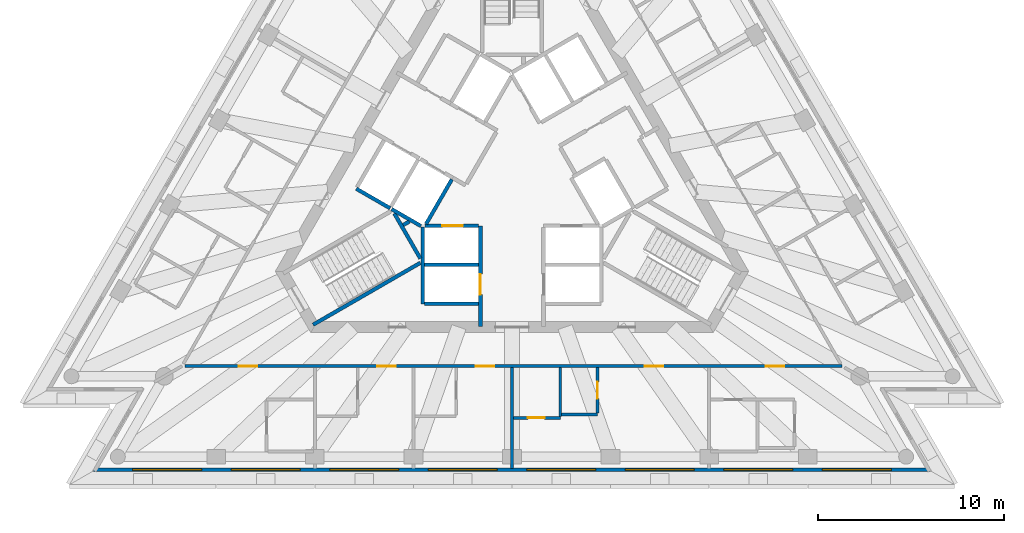
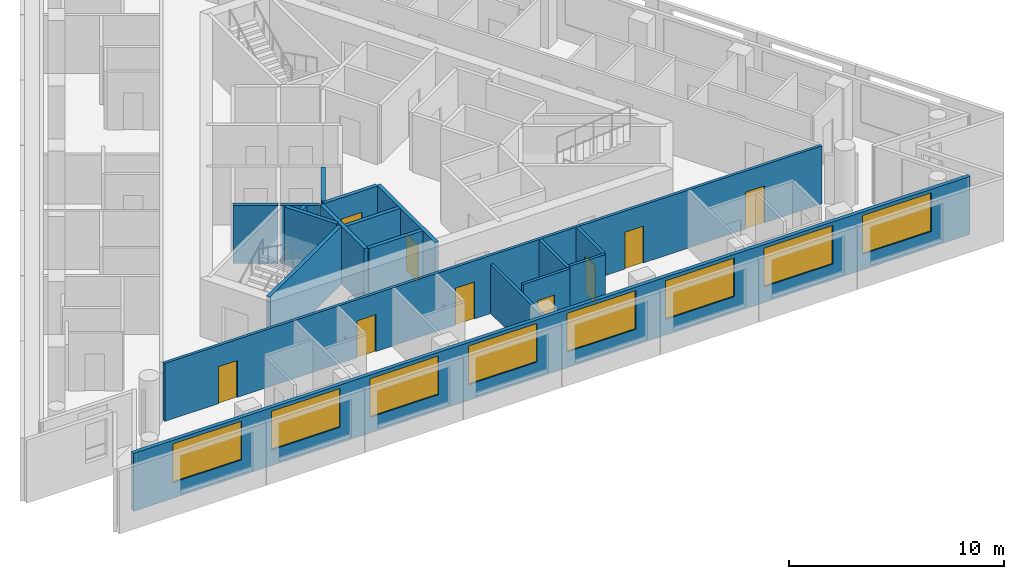
# One storey, part 3 of 11: 18 walls, 9 doors, 8 windows, 17 openings.
"""IFC4 building model written with IfcOpenShell, lengths in metres."""

from ifc_helpers import new_model, si_unit, direction, frame, frame_2d, origin, place, context, subcontext, project, spatial, rectangle, extrude, material, layer, layer_set, layer_usage, type_object, element, fill, save


model = new_model("IFC4")

# Units and contexts
model_context = context("Model", 3, precision=1e-05, world=origin(), true_north=direction((0.0, 1.0)))
body_context = subcontext(model_context, "Body", "Model", "MODEL_VIEW")
ifc_project = project(units=[si_unit("LENGTHUNIT", "METRE"), si_unit("AREAUNIT", "SQUARE_METRE"), si_unit("VOLUMEUNIT", "CUBIC_METRE"), si_unit("PLANEANGLEUNIT", "RADIAN"), si_unit("MASSUNIT", "GRAM", prefix="KILO")], contexts=[model_context])

# Site, building, storey
site_placement = place(None, origin())
site = spatial("IfcSite", under=ifc_project, at=site_placement, CompositionType="ELEMENT")
building_placement = place(site_placement, origin())
building = spatial("IfcBuilding", under=site, at=building_placement, Name="Triada Interchange Tower", CompositionType="ELEMENT")
storey_placement = place(building_placement, frame((0.0, 0.0, 300.699951171875)))
storey = spatial("IfcBuildingStorey", under=building, at=storey_placement, Name="L71", CompositionType="ELEMENT", Elevation=300.699951171875)

# Walls
ifc_material_1 = material(Name="Concrete C30/37", Category="concrete")
ifc_layer_1 = layer(ifc_material_1, 0.199951171875)
ifc_layer_set_1 = layer_set([ifc_layer_1], Name="CORE WALL 200 EI 120")
wall_type_1 = type_object("IfcWallType", Name="CORE WALL 200 EI 120", PredefinedType="SOLIDWALL", material=ifc_layer_set_1)
wall_1_placement = place(storey_placement, frame((-8.3759765625, -0.70703125, 0.0), z_axis=(0.0, 0.0, 1.0), x_axis=(0.866067520717, -0.499927044236, 0.0)))
element("IfcWall", 1, at=wall_1_placement, inside=storey, type_object=wall_type_1, Name="Wall L71 69", PredefinedType="SOLIDWALL", context=body_context, shape_type="SweptSolid", body=[
    extrude(rectangle(XDim=2.100341796875, YDim=0.199951171875, at=frame_2d((1.05029296875, 0.0))), origin(), (0.0, 0.0, 1.0), 3.300048828125),
])
wall_2_placement = place(storey_placement, frame((-4.699951171875, -4.800048828125, 0.0), z_axis=(0.0, 0.0, 1.0), x_axis=(1.0, 0.0, 0.0)))
element("IfcWall", 2, at=wall_2_placement, inside=storey, type_object=wall_type_1, Name="Wall L71 71", PredefinedType="SOLIDWALL", context=body_context, shape_type="SweptSolid", body=[
    extrude(rectangle(XDim=2.89990234375, YDim=0.199951171875, at=frame_2d((1.449951171875, 0.0))), origin(), (0.0, 0.0, 1.0), 3.300048828125),
])
wall_3_placement = place(storey_placement, frame((-4.800048828125, -6.89990234375, 0.0), z_axis=(0.0, 0.0, 1.0), x_axis=(0.0, 1.0, 0.0)))
element("IfcWall", 3, at=wall_3_placement, inside=storey, type_object=wall_type_1, Name="Wall L71 73", PredefinedType="SOLIDWALL", context=body_context, shape_type="SweptSolid", body=[
    extrude(rectangle(XDim=4.130859375, YDim=0.199951171875, at=frame_2d((2.0654296875, 0.0))), origin(), (0.0, 0.0, 1.0), 3.300048828125),
])
wall_4_placement = place(storey_placement, frame((-4.699951171875, -6.89990234375, 0.0), z_axis=(0.0, 0.0, 1.0), x_axis=(1.0, 0.0, 0.0)))
element("IfcWall", 4, at=wall_4_placement, inside=storey, type_object=wall_type_1, Name="Wall L71 74", PredefinedType="SOLIDWALL", context=body_context, shape_type="SweptSolid", body=[
    extrude(rectangle(XDim=2.89990234375, YDim=0.199951171875, at=frame_2d((1.449951171875, 0.0))), origin(), (0.0, 0.0, 1.0), 3.300048828125),
])

# Wall, opening, door
wall_5_placement = place(storey_placement, frame((-1.699951171875, -8.1298828125, 0.0), z_axis=(0.0, 0.0, 1.0), x_axis=(0.0, 1.0, 0.0)))
wall_5 = element("IfcWall", 5, at=wall_5_placement, inside=storey, type_object=wall_type_1, Name="Wall L71 76", PredefinedType="SOLIDWALL", context=body_context, shape_type="SweptSolid", body=[
    extrude(rectangle(XDim=5.427001953125, YDim=0.199951171875, at=frame_2d((2.71337890625, 0.0))), origin(), (0.0, 0.0, 1.0), 3.300048828125),
])
opening_1_placement = place(wall_5_placement, frame((1.72998046875, 0.0, 0.0)))
opening_1 = element("IfcOpeningElement", 6, at=opening_1_placement, cuts=wall_5, Name="Opening LD-HR4", PredefinedType="OPENING", context=body_context, shape_type="SweptSolid", body=[
    extrude(rectangle(XDim=1.10009765625, YDim=2.10009765625, at=frame_2d((0.550048828125, 1.050048828125))), frame((0.0, 0.10986328125, 0.0), z_axis=(0.0, -1.0, 0.0), x_axis=(1.0, 0.0, 0.0)), (0.0, 0.0, 1.0), 0.219970703125),
])
ifc_material_2 = material(Name="Steel S235 door leaf", Category="steel")
door_type_1 = type_object("IfcDoorType", Name="LIFT LANDING DOOR 1100 EI 120", OperationType="SLIDING_TO_LEFT", PredefinedType="DOOR", material=ifc_material_2)
door_1_placement = place(opening_1_placement, origin())
door_1 = element("IfcDoor", 7, at=door_1_placement, inside=storey, type_object=door_type_1, Name="HR4 landing door L71", OperationType="SLIDING_TO_LEFT", OverallHeight=2.10009765625, OverallWidth=1.10009765625, PredefinedType="DOOR", context=body_context, shape_type="SweptSolid", body=[
    extrude(rectangle(XDim=1.10009765625, YDim=2.10009765625, at=frame_2d((0.550048828125, 1.050048828125))), frame((0.0, 0.02490234375, 0.0), z_axis=(0.0, -1.0, 0.0), x_axis=(1.0, 0.0, 0.0)), (0.0, 0.0, 1.0), 0.050048828125),
])
fill(opening_1, door_1)

wall_6_placement = place(storey_placement, frame((-4.676025390625, -2.699951171875, 0.0), z_axis=(0.0, 0.0, 1.0), x_axis=(1.0, 0.0, 0.0)))
wall_6 = element("IfcWall", 8, at=wall_6_placement, inside=storey, type_object=wall_type_1, Name="Wall L71 77", PredefinedType="SOLIDWALL", context=body_context, shape_type="SweptSolid", body=[
    extrude(rectangle(XDim=2.873046875, YDim=0.199951171875, at=frame_2d((1.4365234375, 0.0))), origin(), (0.0, 0.0, 1.0), 3.300048828125),
])
opening_2_placement = place(wall_6_placement, frame((0.93701171875, 0.0, 0.0)))
opening_2 = element("IfcOpeningElement", 9, at=opening_2_placement, cuts=wall_6, Name="Opening LD-HR3", PredefinedType="OPENING", context=body_context, shape_type="SweptSolid", body=[
    extrude(rectangle(XDim=1.10009765625, YDim=2.10009765625, at=frame_2d((0.550048828125, 1.050048828125))), frame((0.0, 0.10986328125, 0.0), z_axis=(0.0, -1.0, 0.0), x_axis=(1.0, 0.0, 0.0)), (0.0, 0.0, 1.0), 0.219970703125),
])
door_2_placement = place(opening_2_placement, origin())
door_2 = element("IfcDoor", 10, at=door_2_placement, inside=storey, type_object=door_type_1, Name="HR3 landing door L71", OperationType="SLIDING_TO_LEFT", OverallHeight=2.10009765625, OverallWidth=1.10009765625, PredefinedType="DOOR", context=body_context, shape_type="SweptSolid", body=[
    extrude(rectangle(XDim=1.10009765625, YDim=2.10009765625, at=frame_2d((0.550048828125, 1.050048828125))), frame((0.0, 0.02490234375, 0.0), z_axis=(0.0, -1.0, 0.0), x_axis=(1.0, 0.0, 0.0)), (0.0, 0.0, 1.0), 0.050048828125),
])
fill(opening_2, door_2)

# Walls
ifc_layer_2 = layer(ifc_material_1, 0.199951171875)
ifc_layer_set_2 = layer_set([ifc_layer_2], Name="CORE WALL 200 EI 180")
wall_type_2 = type_object("IfcWallType", Name="CORE WALL 200 EI 180", PredefinedType="SOLIDWALL", material=ifc_layer_set_2)
wall_7_placement = place(storey_placement, frame((-6.469970703125, -1.806884765625, 0.0), z_axis=(0.0, 0.0, 1.0), x_axis=(0.865883195159, -0.500246231712, 0.0)))
element("IfcWall", 11, at=wall_7_placement, inside=storey, type_object=wall_type_2, Name="Shaft wall FF1 L71 102", PredefinedType="SOLIDWALL", context=body_context, shape_type="SweptSolid", body=[
    extrude(rectangle(XDim=1.8154296875, YDim=0.199951171875, at=frame_2d((0.90771484375, 0.0))), origin(), (0.0, 0.0, 1.0), 3.300048828125),
])
wall_8_placement = place(storey_placement, frame((-4.618896484375, -2.60009765625, 0.0), z_axis=(0.0, 0.0, 1.0), x_axis=(0.50009492287, 0.865970593103, 0.0)))
element("IfcWall", 12, at=wall_8_placement, inside=storey, type_object=wall_type_2, Name="Shaft wall FF1 L71 104", PredefinedType="SOLIDWALL", context=body_context, shape_type="SweptSolid", body=[
    extrude(rectangle(XDim=2.76123046875, YDim=0.199951171875, at=frame_2d((1.380615234375, 0.0))), origin(), (0.0, 0.0, 1.0), 3.300048828125),
])
ifc_layer_3 = layer(ifc_material_1, 0.199951171875)
ifc_layer_set_3 = layer_set([ifc_layer_3], Name="CORE WALL 200 EI 90")
wall_type_3 = type_object("IfcWallType", Name="CORE WALL 200 EI 90", PredefinedType="SOLIDWALL", material=ifc_layer_set_3)
wall_9_placement = place(storey_placement, frame((-5.85302734375, -2.662109375, 0.0), z_axis=(0.0, 0.0, 1.0), x_axis=(0.866630806644, 0.498949942355, 0.0)))
element("IfcWall", 13, at=wall_9_placement, inside=storey, type_object=wall_type_3, Name="Wall L71 109", PredefinedType="SOLIDWALL", context=body_context, shape_type="SweptSolid", body=[
    extrude(rectangle(XDim=0.383056640625, YDim=0.199951171875, at=frame_2d((0.19140625, 0.0))), origin(), (0.0, 0.0, 1.0), 3.300048828125),
])
ifc_layer_4 = layer(ifc_material_1, 0.199951171875)
ifc_layer_set_4 = layer_set([ifc_layer_4], Name="CORE WALL 200 REI 240")
wall_type_4 = type_object("IfcWallType", Name="CORE WALL 200 REI 240", PredefinedType="SOLIDWALL", material=ifc_layer_set_4)
wall_10_placement = place(storey_placement, frame((-6.3291015625, -2.0380859375, 0.0), z_axis=(0.0, 0.0, 1.0), x_axis=(0.500200581029, -0.865909567298, 0.0)))
element("IfcWall", 14, at=wall_10_placement, inside=storey, type_object=wall_type_4, Name="Wall L71 116", PredefinedType="SOLIDWALL", context=body_context, shape_type="SweptSolid", body=[
    extrude(rectangle(XDim=2.799072265625, YDim=0.199951171875, at=frame_2d((1.3994140625, 0.0))), origin(), (0.0, 0.0, 1.0), 3.300048828125),
])
wall_11_placement = place(storey_placement, frame((-10.700927734375, -8.02587890625, 0.0), z_axis=(0.0, 0.0, 1.0), x_axis=(0.866005022404, 0.500035299925, 0.0)))
element("IfcWall", 15, at=wall_11_placement, inside=storey, type_object=wall_type_4, Name="Wall L71 117", PredefinedType="SOLIDWALL", context=body_context, shape_type="SweptSolid", body=[
    extrude(rectangle(XDim=6.6650390625, YDim=0.199951171875, at=frame_2d((3.33251953125, 0.0))), origin(), (0.0, 0.0, 1.0), 3.300048828125),
])

# Wall, openings, windows
ifc_material_3 = material(Name="Cement board")
ifc_layer_5 = layer(ifc_material_3, 0.02001953125, Name="Cement board cladding")
ifc_material_4 = material(Name="Sheathing board")
ifc_layer_6 = layer(ifc_material_4, 0.014892578125, Name="Sheathing board")
ifc_material_5 = material(Name="Mineral wool")
ifc_layer_7 = layer(ifc_material_5, 0.14990234375, Name="Mineral wool between steel studs")
ifc_material_6 = material(Name="Gypsum board")
ifc_layer_8 = layer(ifc_material_6, 0.014892578125, Name="Plasterboard lining")
ifc_layer_set_5 = layer_set([ifc_layer_5, ifc_layer_6, ifc_layer_7, ifc_layer_8], Name="External wall 200")
ifc_layer_usage = layer_usage(ifc_layer_set_5, "AXIS2", "POSITIVE", -0.10009765625)
wall_type_5 = type_object("IfcWallType", Name="External wall 200", PredefinedType="ELEMENTEDWALL", material=ifc_layer_set_5)
wall_12_placement = place(storey_placement, frame((-22.507080078125, -15.826904296875, 0.0), z_axis=(0.0, 0.0, 1.0), x_axis=(1.0, 0.0, 0.0)))
wall_12 = element("IfcWall", 16, at=wall_12_placement, inside=storey, type_object=wall_type_5, material=ifc_layer_usage, Name="External wall L71 S", PredefinedType="ELEMENTEDWALL", context=body_context, shape_type="SweptSolid", body=[
    extrude(rectangle(XDim=44.994140625, YDim=0.199951171875, at=frame_2d((22.4970703125, 0.0))), origin(), (0.0, 0.0, 1.0), 3.300048828125),
])
opening_3_placement = place(wall_12_placement, frame((2.10400390625, 0.0, 0.89990234375)))
opening_3 = element("IfcOpeningElement", 17, at=opening_3_placement, cuts=wall_12, Name="Opening WD11", PredefinedType="OPENING", context=body_context, shape_type="SweptSolid", body=[
    extrude(rectangle(XDim=3.699951171875, YDim=2.199951171875, at=frame_2d((1.85009765625, 1.10009765625))), frame((0.0, 0.10986328125, 0.0), z_axis=(0.0, -1.0, 0.0), x_axis=(1.0, 0.0, 0.0)), (0.0, 0.0, 1.0), 0.219970703125),
])
opening_4_placement = place(wall_12_placement, frame((7.405029296875, 0.0, 0.89990234375)))
opening_4 = element("IfcOpeningElement", 18, at=opening_4_placement, cuts=wall_12, Name="Opening WD12", PredefinedType="OPENING", context=body_context, shape_type="SweptSolid", body=[
    extrude(rectangle(XDim=3.699951171875, YDim=2.199951171875, at=frame_2d((1.85009765625, 1.10009765625))), frame((0.0, 0.10986328125, 0.0), z_axis=(0.0, -1.0, 0.0), x_axis=(1.0, 0.0, 0.0)), (0.0, 0.0, 1.0), 0.219970703125),
])
opening_5_placement = place(wall_12_placement, frame((12.7060546875, 0.0, 0.89990234375)))
opening_5 = element("IfcOpeningElement", 19, at=opening_5_placement, cuts=wall_12, Name="Opening WD13", PredefinedType="OPENING", context=body_context, shape_type="SweptSolid", body=[
    extrude(rectangle(XDim=3.699951171875, YDim=2.199951171875, at=frame_2d((1.85009765625, 1.10009765625))), frame((0.0, 0.10986328125, 0.0), z_axis=(0.0, -1.0, 0.0), x_axis=(1.0, 0.0, 0.0)), (0.0, 0.0, 1.0), 0.219970703125),
])
opening_6_placement = place(wall_12_placement, frame((18.006103515625, 0.0, 0.89990234375)))
opening_6 = element("IfcOpeningElement", 20, at=opening_6_placement, cuts=wall_12, Name="Opening WD14", PredefinedType="OPENING", context=body_context, shape_type="SweptSolid", body=[
    extrude(rectangle(XDim=3.699951171875, YDim=2.199951171875, at=frame_2d((1.85009765625, 1.10009765625))), frame((0.0, 0.10986328125, 0.0), z_axis=(0.0, -1.0, 0.0), x_axis=(1.0, 0.0, 0.0)), (0.0, 0.0, 1.0), 0.219970703125),
])
opening_7_placement = place(wall_12_placement, frame((23.30810546875, 0.0, 0.89990234375)))
opening_7 = element("IfcOpeningElement", 21, at=opening_7_placement, cuts=wall_12, Name="Opening WD15", PredefinedType="OPENING", context=body_context, shape_type="SweptSolid", body=[
    extrude(rectangle(XDim=3.699951171875, YDim=2.199951171875, at=frame_2d((1.85009765625, 1.10009765625))), frame((0.0, 0.10986328125, 0.0), z_axis=(0.0, -1.0, 0.0), x_axis=(1.0, 0.0, 0.0)), (0.0, 0.0, 1.0), 0.219970703125),
])
opening_8_placement = place(wall_12_placement, frame((28.60791015625, 0.0, 0.89990234375)))
opening_8 = element("IfcOpeningElement", 22, at=opening_8_placement, cuts=wall_12, Name="Opening WD16", PredefinedType="OPENING", context=body_context, shape_type="SweptSolid", body=[
    extrude(rectangle(XDim=3.699951171875, YDim=2.199951171875, at=frame_2d((1.85009765625, 1.10009765625))), frame((0.0, 0.10986328125, 0.0), z_axis=(0.0, -1.0, 0.0), x_axis=(1.0, 0.0, 0.0)), (0.0, 0.0, 1.0), 0.219970703125),
])
opening_9_placement = place(wall_12_placement, frame((33.909912109375, 0.0, 0.89990234375)))
opening_9 = element("IfcOpeningElement", 23, at=opening_9_placement, cuts=wall_12, Name="Opening WD17", PredefinedType="OPENING", context=body_context, shape_type="SweptSolid", body=[
    extrude(rectangle(XDim=3.699951171875, YDim=2.199951171875, at=frame_2d((1.85009765625, 1.10009765625))), frame((0.0, 0.10986328125, 0.0), z_axis=(0.0, -1.0, 0.0), x_axis=(1.0, 0.0, 0.0)), (0.0, 0.0, 1.0), 0.219970703125),
])
opening_10_placement = place(wall_12_placement, frame((39.2099609375, 0.0, 0.89990234375)))
opening_10 = element("IfcOpeningElement", 24, at=opening_10_placement, cuts=wall_12, Name="Opening WD18", PredefinedType="OPENING", context=body_context, shape_type="SweptSolid", body=[
    extrude(rectangle(XDim=3.699951171875, YDim=2.199951171875, at=frame_2d((1.85009765625, 1.10009765625))), frame((0.0, 0.10986328125, 0.0), z_axis=(0.0, -1.0, 0.0), x_axis=(1.0, 0.0, 0.0)), (0.0, 0.0, 1.0), 0.219970703125),
])
ifc_material_7 = material(Name="Double glazed aluminium window", Category="aluminium")
window_type = type_object("IfcWindowType", Name="Ribbon window D face", PartitioningType="SINGLE_PANEL", PredefinedType="WINDOW", material=ifc_material_7)
window_1_placement = place(opening_3_placement, origin())
window_1 = element("IfcWindow", 25, at=window_1_placement, inside=storey, type_object=window_type, Name="Window L71 S 1", OverallHeight=2.199951171875, OverallWidth=3.699951171875, PartitioningType="SINGLE_PANEL", PredefinedType="WINDOW", context=body_context, shape_type="SweptSolid", body=[
    extrude(rectangle(XDim=3.699951171875, YDim=2.199951171875, at=frame_2d((1.85009765625, 1.10009765625))), frame((0.0, 0.030029296875, 0.0), z_axis=(0.0, -1.0, 0.0), x_axis=(1.0, 0.0, 0.0)), (0.0, 0.0, 1.0), 0.06005859375),
])
fill(opening_3, window_1)
window_2_placement = place(opening_4_placement, origin())
window_2 = element("IfcWindow", 26, at=window_2_placement, inside=storey, type_object=window_type, Name="Window L71 S 2", OverallHeight=2.199951171875, OverallWidth=3.699951171875, PartitioningType="SINGLE_PANEL", PredefinedType="WINDOW", context=body_context, shape_type="SweptSolid", body=[
    extrude(rectangle(XDim=3.699951171875, YDim=2.199951171875, at=frame_2d((1.85009765625, 1.10009765625))), frame((0.0, 0.030029296875, 0.0), z_axis=(0.0, -1.0, 0.0), x_axis=(1.0, 0.0, 0.0)), (0.0, 0.0, 1.0), 0.06005859375),
])
fill(opening_4, window_2)
window_3_placement = place(opening_5_placement, origin())
window_3 = element("IfcWindow", 27, at=window_3_placement, inside=storey, type_object=window_type, Name="Window L71 S 3", OverallHeight=2.199951171875, OverallWidth=3.699951171875, PartitioningType="SINGLE_PANEL", PredefinedType="WINDOW", context=body_context, shape_type="SweptSolid", body=[
    extrude(rectangle(XDim=3.699951171875, YDim=2.199951171875, at=frame_2d((1.85009765625, 1.10009765625))), frame((0.0, 0.030029296875, 0.0), z_axis=(0.0, -1.0, 0.0), x_axis=(1.0, 0.0, 0.0)), (0.0, 0.0, 1.0), 0.06005859375),
])
fill(opening_5, window_3)
window_4_placement = place(opening_6_placement, origin())
window_4 = element("IfcWindow", 28, at=window_4_placement, inside=storey, type_object=window_type, Name="Window L71 S 4", OverallHeight=2.199951171875, OverallWidth=3.699951171875, PartitioningType="SINGLE_PANEL", PredefinedType="WINDOW", context=body_context, shape_type="SweptSolid", body=[
    extrude(rectangle(XDim=3.699951171875, YDim=2.199951171875, at=frame_2d((1.85009765625, 1.10009765625))), frame((0.0, 0.030029296875, 0.0), z_axis=(0.0, -1.0, 0.0), x_axis=(1.0, 0.0, 0.0)), (0.0, 0.0, 1.0), 0.06005859375),
])
fill(opening_6, window_4)
window_5_placement = place(opening_7_placement, origin())
window_5 = element("IfcWindow", 29, at=window_5_placement, inside=storey, type_object=window_type, Name="Window L71 S 5", OverallHeight=2.199951171875, OverallWidth=3.699951171875, PartitioningType="SINGLE_PANEL", PredefinedType="WINDOW", context=body_context, shape_type="SweptSolid", body=[
    extrude(rectangle(XDim=3.699951171875, YDim=2.199951171875, at=frame_2d((1.85009765625, 1.10009765625))), frame((0.0, 0.030029296875, 0.0), z_axis=(0.0, -1.0, 0.0), x_axis=(1.0, 0.0, 0.0)), (0.0, 0.0, 1.0), 0.06005859375),
])
fill(opening_7, window_5)
window_6_placement = place(opening_8_placement, origin())
window_6 = element("IfcWindow", 30, at=window_6_placement, inside=storey, type_object=window_type, Name="Window L71 S 6", OverallHeight=2.199951171875, OverallWidth=3.699951171875, PartitioningType="SINGLE_PANEL", PredefinedType="WINDOW", context=body_context, shape_type="SweptSolid", body=[
    extrude(rectangle(XDim=3.699951171875, YDim=2.199951171875, at=frame_2d((1.85009765625, 1.10009765625))), frame((0.0, 0.030029296875, 0.0), z_axis=(0.0, -1.0, 0.0), x_axis=(1.0, 0.0, 0.0)), (0.0, 0.0, 1.0), 0.06005859375),
])
fill(opening_8, window_6)
window_7_placement = place(opening_9_placement, origin())
window_7 = element("IfcWindow", 31, at=window_7_placement, inside=storey, type_object=window_type, Name="Window L71 S 7", OverallHeight=2.199951171875, OverallWidth=3.699951171875, PartitioningType="SINGLE_PANEL", PredefinedType="WINDOW", context=body_context, shape_type="SweptSolid", body=[
    extrude(rectangle(XDim=3.699951171875, YDim=2.199951171875, at=frame_2d((1.85009765625, 1.10009765625))), frame((0.0, 0.030029296875, 0.0), z_axis=(0.0, -1.0, 0.0), x_axis=(1.0, 0.0, 0.0)), (0.0, 0.0, 1.0), 0.06005859375),
])
fill(opening_9, window_7)
window_8_placement = place(opening_10_placement, origin())
window_8 = element("IfcWindow", 32, at=window_8_placement, inside=storey, type_object=window_type, Name="Window L71 S 8", OverallHeight=2.199951171875, OverallWidth=3.699951171875, PartitioningType="SINGLE_PANEL", PredefinedType="WINDOW", context=body_context, shape_type="SweptSolid", body=[
    extrude(rectangle(XDim=3.699951171875, YDim=2.199951171875, at=frame_2d((1.85009765625, 1.10009765625))), frame((0.0, 0.030029296875, 0.0), z_axis=(0.0, -1.0, 0.0), x_axis=(1.0, 0.0, 0.0)), (0.0, 0.0, 1.0), 0.06005859375),
])
fill(opening_10, window_8)

# Wall, openings, doors
ifc_material_8 = material(Name="Gypsum board partition")
ifc_layer_9 = layer(ifc_material_8, 0.14990234375)
ifc_layer_set_6 = layer_set([ifc_layer_9], Name="PARTITION 150 EI 180")
wall_type_6 = type_object("IfcWallType", Name="PARTITION 150 EI 180", PredefinedType="PARTITIONING", material=ifc_layer_set_6)
wall_13_placement = place(storey_placement, frame((-17.60302734375, -10.25, 0.0), z_axis=(0.0, 0.0, 1.0), x_axis=(1.0, 0.0, 0.0)))
wall_13 = element("IfcWall", 33, at=wall_13_placement, inside=storey, type_object=wall_type_6, Name="Wall L71 4", PredefinedType="PARTITIONING", context=body_context, shape_type="SweptSolid", body=[
    extrude(rectangle(XDim=35.35595703125, YDim=0.14990234375, at=frame_2d((17.677978515625, 0.0))), origin(), (0.0, 0.0, 1.0), 3.300048828125),
])
opening_11_placement = place(wall_13_placement, frame((2.89990234375, 0.0, 0.0)))
opening_11 = element("IfcOpeningElement", 34, at=opening_11_placement, cuts=wall_13, Name="Opening D71-11", PredefinedType="OPENING", context=body_context, shape_type="SweptSolid", body=[
    extrude(rectangle(XDim=1.0, YDim=2.10009765625, at=frame_2d((0.5, 1.050048828125))), frame((0.0, 0.0849609375, 0.0), z_axis=(0.0, -1.0, 0.0), x_axis=(1.0, 0.0, 0.0)), (0.0, 0.0, 1.0), 0.169921875),
])
opening_12_placement = place(wall_13_placement, frame((10.35107421875, 0.0, 0.0)))
opening_12 = element("IfcOpeningElement", 35, at=opening_12_placement, cuts=wall_13, Name="Opening D71-13", PredefinedType="OPENING", context=body_context, shape_type="SweptSolid", body=[
    extrude(rectangle(XDim=1.0, YDim=2.10009765625, at=frame_2d((0.5, 1.050048828125))), frame((0.0, 0.0849609375, 0.0), z_axis=(0.0, -1.0, 0.0), x_axis=(1.0, 0.0, 0.0)), (0.0, 0.0, 1.0), 0.169921875),
])
opening_13_placement = place(wall_13_placement, frame((15.652099609375, 0.0, 0.0)))
opening_13 = element("IfcOpeningElement", 36, at=opening_13_placement, cuts=wall_13, Name="Opening D71-15", PredefinedType="OPENING", context=body_context, shape_type="SweptSolid", body=[
    extrude(rectangle(XDim=1.0, YDim=2.10009765625, at=frame_2d((0.5, 1.050048828125))), frame((0.0, 0.0849609375, 0.0), z_axis=(0.0, -1.0, 0.0), x_axis=(1.0, 0.0, 0.0)), (0.0, 0.0, 1.0), 0.169921875),
])
opening_14_placement = place(wall_13_placement, frame((24.7529296875, 0.0, 0.0)))
opening_14 = element("IfcOpeningElement", 37, at=opening_14_placement, cuts=wall_13, Name="Opening D71-17", PredefinedType="OPENING", context=body_context, shape_type="SweptSolid", body=[
    extrude(rectangle(XDim=1.0, YDim=2.10009765625, at=frame_2d((0.5, 1.050048828125))), frame((0.0, 0.0849609375, 0.0), z_axis=(0.0, -1.0, 0.0), x_axis=(1.0, 0.0, 0.0)), (0.0, 0.0, 1.0), 0.169921875),
])
opening_15_placement = place(wall_13_placement, frame((31.2548828125, 0.0, 0.0)))
opening_15 = element("IfcOpeningElement", 38, at=opening_15_placement, cuts=wall_13, Name="Opening D71-20", PredefinedType="OPENING", context=body_context, shape_type="SweptSolid", body=[
    extrude(rectangle(XDim=1.0, YDim=2.10009765625, at=frame_2d((0.5, 1.050048828125))), frame((0.0, 0.0849609375, 0.0), z_axis=(0.0, -1.0, 0.0), x_axis=(1.0, 0.0, 0.0)), (0.0, 0.0, 1.0), 0.169921875),
])
door_type_2 = type_object("IfcDoorType", Name="GUEST ROOM DOOR 1000 EI2 90-C5S200", OperationType="NOTDEFINED", PredefinedType="DOOR", material=ifc_material_2)
door_3_placement = place(opening_11_placement, origin())
door_3 = element("IfcDoor", 39, at=door_3_placement, inside=storey, type_object=door_type_2, Name="Door D71-11 L71", OperationType="SINGLE_SWING_RIGHT", OverallHeight=2.10009765625, OverallWidth=1.0, PredefinedType="DOOR", context=body_context, shape_type="SweptSolid", body=[
    extrude(rectangle(XDim=1.0, YDim=2.10009765625, at=frame_2d((0.5, 1.050048828125))), frame((0.0, 0.02490234375, 0.0), z_axis=(0.0, -1.0, 0.0), x_axis=(1.0, 0.0, 0.0)), (0.0, 0.0, 1.0), 0.050048828125),
])
fill(opening_11, door_3)
door_4_placement = place(opening_12_placement, origin())
door_4 = element("IfcDoor", 40, at=door_4_placement, inside=storey, type_object=door_type_2, Name="Door D71-13 L71", OperationType="SINGLE_SWING_RIGHT", OverallHeight=2.10009765625, OverallWidth=1.0, PredefinedType="DOOR", context=body_context, shape_type="SweptSolid", body=[
    extrude(rectangle(XDim=1.0, YDim=2.10009765625, at=frame_2d((0.5, 1.050048828125))), frame((0.0, 0.02490234375, 0.0), z_axis=(0.0, -1.0, 0.0), x_axis=(1.0, 0.0, 0.0)), (0.0, 0.0, 1.0), 0.050048828125),
])
fill(opening_12, door_4)
door_5_placement = place(opening_13_placement, origin())
door_5 = element("IfcDoor", 41, at=door_5_placement, inside=storey, type_object=door_type_2, Name="Door D71-15 L71", OperationType="SINGLE_SWING_RIGHT", OverallHeight=2.10009765625, OverallWidth=1.0, PredefinedType="DOOR", context=body_context, shape_type="SweptSolid", body=[
    extrude(rectangle(XDim=1.0, YDim=2.10009765625, at=frame_2d((0.5, 1.050048828125))), frame((0.0, 0.02490234375, 0.0), z_axis=(0.0, -1.0, 0.0), x_axis=(1.0, 0.0, 0.0)), (0.0, 0.0, 1.0), 0.050048828125),
])
fill(opening_13, door_5)
door_6_placement = place(opening_14_placement, origin())
door_6 = element("IfcDoor", 42, at=door_6_placement, inside=storey, type_object=door_type_2, Name="Door D71-17 L71", OperationType="SINGLE_SWING_RIGHT", OverallHeight=2.10009765625, OverallWidth=1.0, PredefinedType="DOOR", context=body_context, shape_type="SweptSolid", body=[
    extrude(rectangle(XDim=1.0, YDim=2.10009765625, at=frame_2d((0.5, 1.050048828125))), frame((0.0, 0.02490234375, 0.0), z_axis=(0.0, -1.0, 0.0), x_axis=(1.0, 0.0, 0.0)), (0.0, 0.0, 1.0), 0.050048828125),
])
fill(opening_14, door_6)
door_7_placement = place(opening_15_placement, origin())
door_7 = element("IfcDoor", 43, at=door_7_placement, inside=storey, type_object=door_type_2, Name="Door D71-20 L71", OperationType="SINGLE_SWING_LEFT", OverallHeight=2.10009765625, OverallWidth=1.0, PredefinedType="DOOR", context=body_context, shape_type="SweptSolid", body=[
    extrude(rectangle(XDim=1.0, YDim=2.10009765625, at=frame_2d((0.5, 1.050048828125))), frame((0.0, 0.02490234375, 0.0), z_axis=(0.0, -1.0, 0.0), x_axis=(1.0, 0.0, 0.0)), (0.0, 0.0, 1.0), 0.050048828125),
])
fill(opening_15, door_7)

# Wall
wall_14_placement = place(storey_placement, frame((0.0, -15.7470703125, 0.0), z_axis=(0.0, 0.0, 1.0), x_axis=(0.0, 1.0, 0.0)))
element("IfcWall", 44, at=wall_14_placement, inside=storey, type_object=wall_type_6, Name="Wall L71 12", PredefinedType="PARTITIONING", context=body_context, shape_type="SweptSolid", body=[
    extrude(rectangle(XDim=5.422119140625, YDim=0.14990234375, at=frame_2d((2.7109375, 0.0))), origin(), (0.0, 0.0, 1.0), 2.800048828125),
])

# Wall, opening, door
ifc_layer_10 = layer(ifc_material_8, 0.14990234375)
ifc_layer_set_7 = layer_set([ifc_layer_10], Name="PARTITION 150 EI 90")
wall_type_7 = type_object("IfcWallType", Name="PARTITION 150 EI 90", PredefinedType="PARTITIONING", material=ifc_layer_set_7)
wall_15_placement = place(storey_placement, frame((0.074951171875, -13.0380859375, 0.0), z_axis=(0.0, 0.0, 1.0), x_axis=(1.0, 0.0, 0.0)))
wall_15 = element("IfcWall", 45, at=wall_15_placement, inside=storey, type_object=wall_type_7, Name="Wall L71 53", PredefinedType="PARTITIONING", context=body_context, shape_type="SweptSolid", body=[
    extrude(rectangle(XDim=2.525146484375, YDim=0.14990234375, at=frame_2d((1.2626953125, 0.0))), origin(), (0.0, 0.0, 1.0), 3.300048828125),
])
opening_16_placement = place(wall_15_placement, frame((0.77490234375, 0.0, 0.0)))
opening_16 = element("IfcOpeningElement", 46, at=opening_16_placement, cuts=wall_15, Name="Opening D71-18", PredefinedType="OPENING", context=body_context, shape_type="SweptSolid", body=[
    extrude(rectangle(XDim=0.89990234375, YDim=2.10009765625, at=frame_2d((0.449951171875, 1.050048828125))), frame((0.0, 0.0849609375, 0.0), z_axis=(0.0, -1.0, 0.0), x_axis=(1.0, 0.0, 0.0)), (0.0, 0.0, 1.0), 0.169921875),
])
door_type_3 = type_object("IfcDoorType", Name="ROOM DOOR 900 EI2 45-C5S200", OperationType="NOTDEFINED", PredefinedType="DOOR", material=ifc_material_2)
door_8_placement = place(opening_16_placement, origin())
door_8 = element("IfcDoor", 47, at=door_8_placement, inside=storey, type_object=door_type_3, Name="Door D71-18 L71", OperationType="SINGLE_SWING_LEFT", OverallHeight=2.10009765625, OverallWidth=0.89990234375, PredefinedType="DOOR", context=body_context, shape_type="SweptSolid", body=[
    extrude(rectangle(XDim=0.89990234375, YDim=2.10009765625, at=frame_2d((0.449951171875, 1.050048828125))), frame((0.0, 0.02490234375, 0.0), z_axis=(0.0, -1.0, 0.0), x_axis=(1.0, 0.0, 0.0)), (0.0, 0.0, 1.0), 0.050048828125),
])
fill(opening_16, door_8)

# Walls
wall_16_placement = place(storey_placement, frame((2.60009765625, -12.964111328125, 0.0), z_axis=(0.0, 0.0, 1.0), x_axis=(0.0, 1.0, 0.0)))
element("IfcWall", 48, at=wall_16_placement, inside=storey, type_object=wall_type_7, Name="Wall L71 54", PredefinedType="PARTITIONING", context=body_context, shape_type="SweptSolid", body=[
    extrude(rectangle(XDim=2.63916015625, YDim=0.14990234375, at=frame_2d((1.319580078125, 0.0))), origin(), (0.0, 0.0, 1.0), 3.300048828125),
])
wall_17_placement = place(storey_placement, frame((2.675048828125, -12.85009765625, 0.0), z_axis=(0.0, 0.0, 1.0), x_axis=(1.0, 0.0, 0.0)))
element("IfcWall", 49, at=wall_17_placement, inside=storey, type_object=wall_type_7, Name="Wall L71 55", PredefinedType="PARTITIONING", context=body_context, shape_type="SweptSolid", body=[
    extrude(rectangle(XDim=1.925048828125, YDim=0.14990234375, at=frame_2d((0.96240234375, 0.0))), origin(), (0.0, 0.0, 1.0), 3.300048828125),
])

# Wall, opening, door
wall_18_placement = place(storey_placement, frame((4.60009765625, -12.77490234375, 0.0), z_axis=(0.0, 0.0, 1.0), x_axis=(0.0, 1.0, 0.0)))
wall_18 = element("IfcWall", 50, at=wall_18_placement, inside=storey, type_object=wall_type_7, Name="Wall L71 56", PredefinedType="PARTITIONING", context=body_context, shape_type="SweptSolid", body=[
    extrude(rectangle(XDim=2.449951171875, YDim=0.14990234375, at=frame_2d((1.22509765625, 0.0))), origin(), (0.0, 0.0, 1.0), 3.300048828125),
])
opening_17_placement = place(wall_18_placement, frame((0.77490234375, 0.0, 0.0)))
opening_17 = element("IfcOpeningElement", 51, at=opening_17_placement, cuts=wall_18, Name="Opening D71-19", PredefinedType="OPENING", context=body_context, shape_type="SweptSolid", body=[
    extrude(rectangle(XDim=0.89990234375, YDim=2.10009765625, at=frame_2d((0.449951171875, 1.050048828125))), frame((0.0, 0.0849609375, 0.0), z_axis=(0.0, -1.0, 0.0), x_axis=(1.0, 0.0, 0.0)), (0.0, 0.0, 1.0), 0.169921875),
])
door_type_4 = type_object("IfcDoorType", Name="SERVICE DOOR 900 EI2 45-C5S200", OperationType="NOTDEFINED", PredefinedType="DOOR", material=ifc_material_2)
door_9_placement = place(opening_17_placement, origin())
door_9 = element("IfcDoor", 52, at=door_9_placement, inside=storey, type_object=door_type_4, Name="Door D71-19 L71", OperationType="SINGLE_SWING_RIGHT", OverallHeight=2.10009765625, OverallWidth=0.89990234375, PredefinedType="DOOR", context=body_context, shape_type="SweptSolid", body=[
    extrude(rectangle(XDim=0.89990234375, YDim=2.10009765625, at=frame_2d((0.449951171875, 1.050048828125))), frame((0.0, 0.02490234375, 0.0), z_axis=(0.0, -1.0, 0.0), x_axis=(1.0, 0.0, 0.0)), (0.0, 0.0, 1.0), 0.050048828125),
])
fill(opening_17, door_9)

save(model, "model.ifc")
